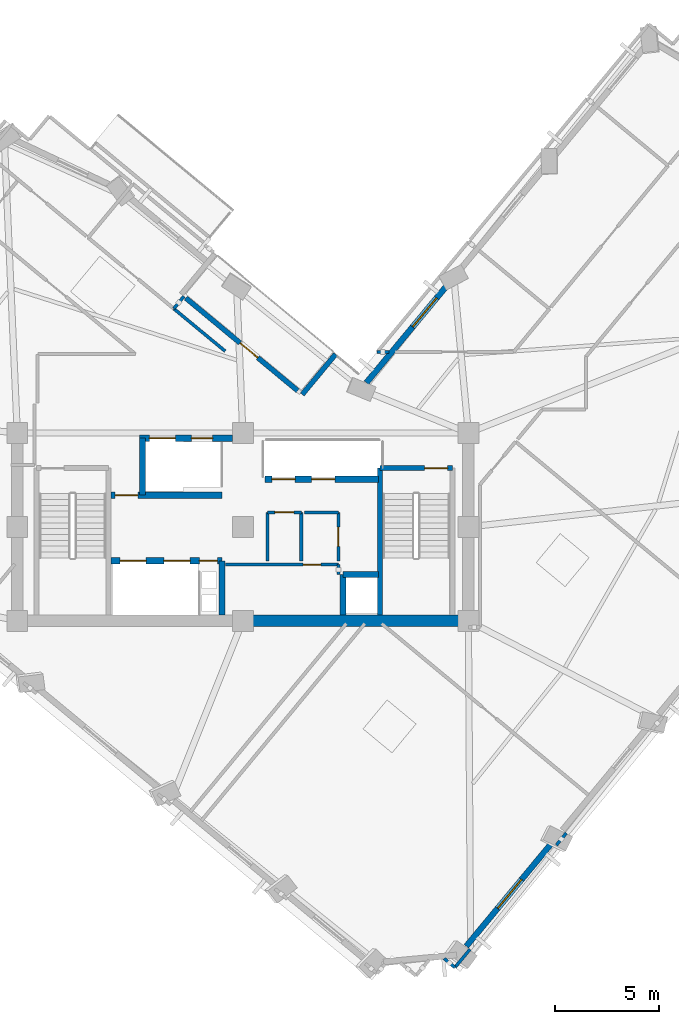
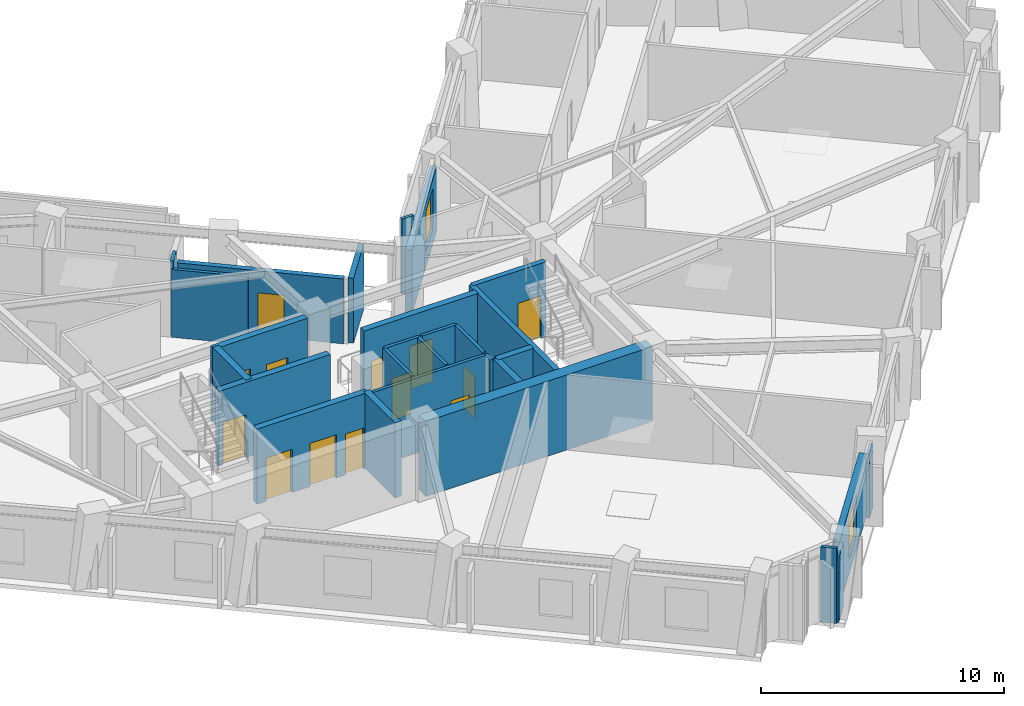
# One storey, part 5 of 10: 28 walls, 13 doors, 2 windows, 15 openings.
"""IFC4 building model written with IfcOpenShell, lengths in metres."""

from ifc_helpers import new_model, si_unit, direction, frame, frame_2d, origin, place, context, subcontext, project, spatial, rectangle, extrude, material, layer, layer_set, type_object, element, fill, save


model = new_model("IFC4")

# Units and contexts
model_context = context("Model", 3, precision=1e-05, world=origin(), true_north=direction((0.0, 1.0)))
body_context = subcontext(model_context, "Body", "Model", "MODEL_VIEW")
ifc_project = project(units=[si_unit("LENGTHUNIT", "METRE"), si_unit("AREAUNIT", "SQUARE_METRE"), si_unit("VOLUMEUNIT", "CUBIC_METRE"), si_unit("PLANEANGLEUNIT", "RADIAN"), si_unit("MASSUNIT", "GRAM", prefix="KILO")], contexts=[model_context])

# Site, building, storey
site_placement = place(None, origin())
site = spatial("IfcSite", under=ifc_project, at=site_placement, CompositionType="ELEMENT")
building_placement = place(site_placement, origin())
building = spatial("IfcBuilding", under=site, at=building_placement, Name="Gaonmaruhae Medical Tower", CompositionType="ELEMENT")
storey_placement = place(building_placement, frame((0.0, 0.0, 239.199951171875)))
storey = spatial("IfcBuildingStorey", under=building, at=storey_placement, Name="L57", CompositionType="ELEMENT", Elevation=239.199951171875)

# Wall
ifc_material_1 = material(Name="Concrete C50/60", Category="concrete")
ifc_layer_1 = layer(ifc_material_1, 0.550048828125)
ifc_layer_set_1 = layer_set([ifc_layer_1], Name="Concrete C50/60")
wall_type_1 = type_object("IfcWallType", Name="CW-550 Mid-High Core Shear Wall", PredefinedType="SHEAR", material=ifc_layer_set_1)
wall_1_placement = place(storey_placement, frame((24.800048828125, 7.800048828125, 0.0), z_axis=(0.0, 0.0, 1.0), x_axis=(1.0, 0.0, 0.0)))
element("IfcWall", 1, at=wall_1_placement, inside=storey, type_object=wall_type_1, Name="L57 Core Shear Wall CSW-S2", PredefinedType="SHEAR", context=body_context, shape_type="SweptSolid", body=[
    extrude(rectangle(XDim=10.800048828125, YDim=0.550048828125, at=frame_2d((5.39990234375, 0.0))), origin(), (0.0, 0.0, 1.0), 3.780029296875),
])

# Wall, opening, door
ifc_material_2 = material(Name="Precast concrete C45/55", Category="concrete")
ifc_layer_2 = layer(ifc_material_2, 0.239990234375)
ifc_layer_set_2 = layer_set([ifc_layer_2], Name="Precast concrete C45/55")
wall_type_2 = type_object("IfcWallType", Name="EW-240 Ribbon & Shelter Insulated Precast Wall", PredefinedType="SOLIDWALL", material=ifc_layer_set_2)
wall_2_placement = place(storey_placement, frame((22.0703125, 23.263671875, 0.0), z_axis=(0.0, 0.0, 1.0), x_axis=(0.769955085711, -0.638098084928, 0.0)))
wall_2 = element("IfcWall", 2, at=wall_2_placement, inside=storey, type_object=wall_type_2, Name="L57 Recessed Terrace Enclosure Wall TERB", PredefinedType="SOLIDWALL", context=body_context, shape_type="SweptSolid", body=[
    extrude(rectangle(XDim=6.9599609375, YDim=0.239990234375, at=frame_2d((3.47998046875, 0.0))), origin(), (0.0, 0.0, 1.0), 3.26513671875),
])
opening_1_placement = place(wall_2_placement, frame((3.374755859375, 0.0, 0.0)))
opening_1 = element("IfcOpeningElement", 3, at=opening_1_placement, cuts=wall_2, Name="Opening TD-01", PredefinedType="OPENING", context=body_context, shape_type="SweptSolid", body=[
    extrude(rectangle(XDim=1.10009765625, YDim=2.14990234375, at=frame_2d((0.550048828125, 1.074951171875))), frame((0.0, 0.1298828125, 0.0), z_axis=(0.0, -1.0, 0.0), x_axis=(1.0, 0.0, 0.0)), (0.0, 0.0, 1.0), 0.260009765625),
])
ifc_material_3 = material(Name="Anodised aluminium and toughened safety glass", Category="aluminium")
door_type_1 = type_object("IfcDoorType", Name="TD-01 Terrace & Sky Garden Glazed Door 1100x2150", OperationType="NOTDEFINED", PredefinedType="DOOR", material=ifc_material_3)
door_1_placement = place(opening_1_placement, origin())
door_1 = element("IfcDoor", 4, at=door_1_placement, inside=storey, type_object=door_type_1, Name="L57 Outdoor Terrace Access Door SLB-L57-TER", OperationType="SINGLE_SWING_LEFT", OverallHeight=2.14990234375, OverallWidth=1.10009765625, PredefinedType="DOOR", context=body_context, shape_type="SweptSolid", body=[
    extrude(rectangle(XDim=1.10009765625, YDim=2.14990234375, at=frame_2d((0.550048828125, 1.074951171875))), frame((0.0, 0.02490234375, 0.0), z_axis=(0.0, -1.0, 0.0), x_axis=(1.0, 0.0, 0.0)), (0.0, 0.0, 1.0), 0.050048828125),
])
fill(opening_1, door_1)

# Wall
wall_3_placement = place(storey_placement, frame((27.644775390625, 18.643798828125, 0.0), z_axis=(0.0, 0.0, 1.0), x_axis=(0.638107200467, 0.769947531142, 0.0)))
element("IfcWall", 5, at=wall_3_placement, inside=storey, type_object=wall_type_2, Name="L57 Recessed Terrace Enclosure Wall TERL", PredefinedType="SOLIDWALL", context=body_context, shape_type="SweptSolid", body=[
    extrude(rectangle(XDim=2.5, YDim=0.239990234375, at=frame_2d((1.25, 0.0))), origin(), (0.0, 0.0, 1.0), 3.26513671875),
])

# Wall, opening, window
ifc_layer_3 = layer(ifc_material_2, 0.280029296875)
ifc_layer_set_3 = layer_set([ifc_layer_3], Name="Precast concrete C45/55")
wall_type_3 = type_object("IfcWallType", Name="EW-280 Upper Precast Masonry-Frame Facade Wall", PredefinedType="SOLIDWALL", material=ifc_layer_set_3)
wall_4_placement = place(storey_placement, frame((39.6376953125, -2.7841796875, 0.0), z_axis=(0.0, 0.0, 1.0), x_axis=(-0.638104601704, -0.769949684904, 0.0)))
wall_4 = element("IfcWall", 6, at=wall_4_placement, inside=storey, type_object=wall_type_3, Name="L57 Precast Masonry-Frame Wall S01-S02", PredefinedType="SOLIDWALL", context=body_context, shape_type="SweptSolid", body=[
    extrude(rectangle(XDim=6.484619140625, YDim=0.280029296875, at=frame_2d((3.2421875, 0.0))), origin(), (0.0, 0.0, 1.0), 3.26513671875),
])
opening_2_placement = place(wall_4_placement, frame((2.333984375, 0.0, 0.75)))
opening_2 = element("IfcOpeningElement", 7, at=opening_2_placement, cuts=wall_4, Name="Opening WN-04", PredefinedType="OPENING", context=body_context, shape_type="SweptSolid", body=[
    extrude(rectangle(XDim=1.800048828125, YDim=2.050048828125, at=frame_2d((0.89990234375, 1.02490234375))), frame((0.0, 0.14990234375, 0.0), z_axis=(0.0, -1.0, 0.0), x_axis=(1.0, 0.0, 0.0)), (0.0, 0.0, 1.0), 0.300048828125),
])
ifc_material_4 = material(Name="Anodised aluminium and Low-E double glazing", Category="aluminium")
window_type = type_object("IfcWindowType", Name="WN-04 Clinic & Consult Punched Window 1800x2050", PartitioningType="SINGLE_PANEL", PredefinedType="WINDOW", material=ifc_material_4)
window_1_placement = place(opening_2_placement, origin())
window_1 = element("IfcWindow", 8, at=window_1_placement, inside=storey, type_object=window_type, Name="L57 Modular Facade Window S01", OverallHeight=2.050048828125, OverallWidth=1.800048828125, PartitioningType="SINGLE_PANEL", PredefinedType="WINDOW", context=body_context, shape_type="SweptSolid", body=[
    extrude(rectangle(XDim=1.800048828125, YDim=2.050048828125, at=frame_2d((0.89990234375, 1.02490234375))), frame((0.0, 0.030029296875, 0.0), z_axis=(0.0, -1.0, 0.0), x_axis=(1.0, 0.0, 0.0)), (0.0, 0.0, 1.0), 0.06005859375),
])
fill(opening_2, window_1)

wall_5_placement = place(storey_placement, frame((30.718505859375, 19.20751953125, 0.0), z_axis=(0.0, 0.0, 1.0), x_axis=(0.638099795901, 0.769953667743, 0.0)))
wall_5 = element("IfcWall", 9, at=wall_5_placement, inside=storey, type_object=wall_type_3, Name="L57 Precast Masonry-Frame Wall EN02-KN01", PredefinedType="SOLIDWALL", context=body_context, shape_type="SweptSolid", body=[
    extrude(rectangle(XDim=6.158447265625, YDim=0.280029296875, at=frame_2d((3.0791015625, 0.0))), origin(), (0.0, 0.0, 1.0), 3.26513671875),
])
opening_3_placement = place(wall_5_placement, frame((3.468017578125, 0.0, 0.75)))
opening_3 = element("IfcOpeningElement", 10, at=opening_3_placement, cuts=wall_5, Name="Opening WN-04", PredefinedType="OPENING", context=body_context, shape_type="SweptSolid", body=[
    extrude(rectangle(XDim=1.800048828125, YDim=2.050048828125, at=frame_2d((0.89990234375, 1.02490234375))), frame((0.0, 0.14990234375, 0.0), z_axis=(0.0, -1.0, 0.0), x_axis=(1.0, 0.0, 0.0)), (0.0, 0.0, 1.0), 0.300048828125),
])
window_2_placement = place(opening_3_placement, origin())
window_2 = element("IfcWindow", 11, at=window_2_placement, inside=storey, type_object=window_type, Name="L57 Modular Facade Window EN02", OverallHeight=2.050048828125, OverallWidth=1.800048828125, PartitioningType="SINGLE_PANEL", PredefinedType="WINDOW", context=body_context, shape_type="SweptSolid", body=[
    extrude(rectangle(XDim=1.800048828125, YDim=2.050048828125, at=frame_2d((0.89990234375, 1.02490234375))), frame((0.0, 0.030029296875, 0.0), z_axis=(0.0, -1.0, 0.0), x_axis=(1.0, 0.0, 0.0)), (0.0, 0.0, 1.0), 0.06005859375),
])
fill(opening_3, window_2)

# Wall, opening, door
ifc_material_5 = material(Name="Gypsum board partition", Category="gypsum")
ifc_layer_4 = layer(ifc_material_5, 0.14990234375)
ifc_layer_set_4 = layer_set([ifc_layer_4], Name="Gypsum board partition")
wall_type_4 = type_object("IfcWallType", Name="PW-150 Rated Clinical Corridor Partition", PredefinedType="PARTITIONING", material=ifc_layer_set_4)
wall_6_placement = place(storey_placement, frame((23.97998046875, 10.5, 0.0), z_axis=(0.0, 0.0, 1.0), x_axis=(1.0, 0.0, 0.0)))
wall_6 = element("IfcWall", 12, at=wall_6_placement, inside=storey, type_object=wall_type_4, Name="L57 Interior Partition L57-RCL1-1", PredefinedType="PARTITIONING", context=body_context, shape_type="SweptSolid", body=[
    extrude(rectangle(XDim=5.39990234375, YDim=0.14990234375, at=frame_2d((2.699951171875, 0.0))), origin(), (0.0, 0.0, 1.0), 3.780029296875),
])
opening_4_placement = place(wall_6_placement, frame((3.702880859375, 0.0, 0.0)))
opening_4 = element("IfcOpeningElement", 13, at=opening_4_placement, cuts=wall_6, Name="Opening AD-01", PredefinedType="OPENING", context=body_context, shape_type="SweptSolid", body=[
    extrude(rectangle(XDim=0.860107421875, YDim=2.06005859375, at=frame_2d((0.43017578125, 1.030029296875))), frame((0.0, 0.0849609375, 0.0), z_axis=(0.0, -1.0, 0.0), x_axis=(1.0, 0.0, 0.0)), (0.0, 0.0, 1.0), 0.169921875),
])
ifc_material_6 = material(Name="Powder-coated steel access door", Category="steel")
door_type_2 = type_object("IfcDoorType", Name="AD-01 Riser & Closet Access Fire Door 860x2060", OperationType="NOTDEFINED", PredefinedType="DOOR", material=ifc_material_6)
door_2_placement = place(opening_4_placement, origin())
door_2 = element("IfcDoor", 14, at=door_2_placement, inside=storey, type_object=door_type_2, Name="L57 Biomedical Infusion Preparation Room Sliding Door", OperationType="SLIDING_TO_LEFT", OverallHeight=2.06005859375, OverallWidth=0.860107421875, PredefinedType="DOOR", context=body_context, shape_type="SweptSolid", body=[
    extrude(rectangle(XDim=0.860107421875, YDim=2.06005859375, at=frame_2d((0.43017578125, 1.030029296875))), frame((0.0, 0.02490234375, 0.0), z_axis=(0.0, -1.0, 0.0), x_axis=(1.0, 0.0, 0.0)), (0.0, 0.0, 1.0), 0.050048828125),
])
fill(opening_4, door_2)

# Walls
wall_7_placement = place(storey_placement, frame((29.3798828125, 10.5, 0.0), z_axis=(0.0, 0.0, 1.0), x_axis=(0.0, -1.0, 0.0)))
element("IfcWall", 15, at=wall_7_placement, inside=storey, type_object=wall_type_4, Name="L57 Interior Partition L57-RCL1-2", PredefinedType="PARTITIONING", context=body_context, shape_type="SweptSolid", body=[
    extrude(rectangle(XDim=0.47998046875, YDim=0.14990234375, at=frame_2d((0.239990234375, 0.0))), origin(), (0.0, 0.0, 1.0), 3.780029296875),
])
wall_8_placement = place(storey_placement, frame((25.97998046875, 10.659912109375, 0.0), z_axis=(0.0, 0.0, 1.0), x_axis=(0.0, 1.0, 0.0)))
element("IfcWall", 16, at=wall_8_placement, inside=storey, type_object=wall_type_4, Name="L57 Interior Partition L57-CS1-3", PredefinedType="PARTITIONING", context=body_context, shape_type="SweptSolid", body=[
    extrude(rectangle(XDim=2.340087890625, YDim=0.14990234375, at=frame_2d((1.169921875, 0.0))), origin(), (0.0, 0.0, 1.0), 3.780029296875),
])

# Wall, opening, door
wall_9_placement = place(storey_placement, frame((25.97998046875, 13.0, 0.0), z_axis=(0.0, 0.0, 1.0), x_axis=(1.0, 0.0, 0.0)))
wall_9 = element("IfcWall", 17, at=wall_9_placement, inside=storey, type_object=wall_type_4, Name="L57 Interior Partition L57-CS1-4", PredefinedType="PARTITIONING", context=body_context, shape_type="SweptSolid", body=[
    extrude(rectangle(XDim=1.6201171875, YDim=0.14990234375, at=frame_2d((0.81005859375, 0.0))), origin(), (0.0, 0.0, 1.0), 3.780029296875),
])
opening_5_placement = place(wall_9_placement, frame((0.35009765625, 0.0, 0.0)))
opening_5 = element("IfcOpeningElement", 18, at=opening_5_placement, cuts=wall_9, Name="Opening UD-01", PredefinedType="OPENING", context=body_context, shape_type="SweptSolid", body=[
    extrude(rectangle(XDim=0.919921875, YDim=2.10009765625, at=frame_2d((0.4599609375, 1.050048828125))), frame((0.0, 0.0849609375, 0.0), z_axis=(0.0, -1.0, 0.0), x_axis=(1.0, 0.0, 0.0)), (0.0, 0.0, 1.0), 0.169921875),
])
ifc_material_7 = material(Name="Powder-coated steel utility door", Category="steel")
door_type_3 = type_object("IfcDoorType", Name="UD-01 Toilet, Utility & Housekeeping Door 920x2100", OperationType="NOTDEFINED", PredefinedType="DOOR", material=ifc_material_7)
door_3_placement = place(opening_5_placement, origin())
door_3 = element("IfcDoor", 19, at=door_3_placement, inside=storey, type_object=door_type_3, Name="L57 Accessible Staff Toilet Door", OperationType="SINGLE_SWING_RIGHT", OverallHeight=2.10009765625, OverallWidth=0.919921875, PredefinedType="DOOR", context=body_context, shape_type="SweptSolid", body=[
    extrude(rectangle(XDim=0.919921875, YDim=2.10009765625, at=frame_2d((0.4599609375, 1.050048828125))), frame((0.0, 0.02490234375, 0.0), z_axis=(0.0, -1.0, 0.0), x_axis=(1.0, 0.0, 0.0)), (0.0, 0.0, 1.0), 0.050048828125),
])
fill(opening_5, door_3)

# Walls
wall_10_placement = place(storey_placement, frame((27.60009765625, 13.0, 0.0), z_axis=(0.0, 0.0, 1.0), x_axis=(0.0, -1.0, 0.0)))
element("IfcWall", 20, at=wall_10_placement, inside=storey, type_object=wall_type_4, Name="L57 Interior Partition L57-CS1-5", PredefinedType="PARTITIONING", context=body_context, shape_type="SweptSolid", body=[
    extrude(rectangle(XDim=2.340087890625, YDim=0.14990234375, at=frame_2d((1.169921875, 0.0))), origin(), (0.0, 0.0, 1.0), 3.780029296875),
])
wall_11_placement = place(storey_placement, frame((27.760009765625, 13.0, 0.0), z_axis=(0.0, 0.0, 1.0), x_axis=(1.0, 0.0, 0.0)))
element("IfcWall", 21, at=wall_11_placement, inside=storey, type_object=wall_type_4, Name="L57 Interior Partition L57-CS2-6", PredefinedType="PARTITIONING", context=body_context, shape_type="SweptSolid", body=[
    extrude(rectangle(XDim=1.619873046875, YDim=0.14990234375, at=frame_2d((0.81005859375, 0.0))), origin(), (0.0, 0.0, 1.0), 3.780029296875),
])

# Wall, opening, door
wall_12_placement = place(storey_placement, frame((29.3798828125, 13.0, 0.0), z_axis=(0.0, 0.0, 1.0), x_axis=(0.0, -1.0, 0.0)))
wall_12 = element("IfcWall", 22, at=wall_12_placement, inside=storey, type_object=wall_type_4, Name="L57 Interior Partition L57-CS2-7", PredefinedType="PARTITIONING", context=body_context, shape_type="SweptSolid", body=[
    extrude(rectangle(XDim=2.340087890625, YDim=0.14990234375, at=frame_2d((1.169921875, 0.0))), origin(), (0.0, 0.0, 1.0), 3.780029296875),
])
opening_6_placement = place(wall_12_placement, frame((0.7099609375, 0.0, 0.0)))
opening_6 = element("IfcOpeningElement", 23, at=opening_6_placement, cuts=wall_12, Name="Opening UD-01", PredefinedType="OPENING", context=body_context, shape_type="SweptSolid", body=[
    extrude(rectangle(XDim=0.919921875, YDim=2.10009765625, at=frame_2d((0.4599609375, 1.050048828125))), frame((0.0, 0.0849609375, 0.0), z_axis=(0.0, -1.0, 0.0), x_axis=(1.0, 0.0, 0.0)), (0.0, 0.0, 1.0), 0.169921875),
])
door_4_placement = place(opening_6_placement, origin())
door_4 = element("IfcDoor", 24, at=door_4_placement, inside=storey, type_object=door_type_3, Name="L57 Biomedical Telemetry Closet Door", OperationType="SINGLE_SWING_RIGHT", OverallHeight=2.10009765625, OverallWidth=0.919921875, PredefinedType="DOOR", context=body_context, shape_type="SweptSolid", body=[
    extrude(rectangle(XDim=0.919921875, YDim=2.10009765625, at=frame_2d((0.4599609375, 1.050048828125))), frame((0.0, 0.02490234375, 0.0), z_axis=(0.0, -1.0, 0.0), x_axis=(1.0, 0.0, 0.0)), (0.0, 0.0, 1.0), 0.050048828125),
])
fill(opening_6, door_4)

# Walls
wall_13_placement = place(storey_placement, frame((40.2890625, -2.35888671875, 0.0), z_axis=(0.0, 0.0, 1.0), x_axis=(-0.638145893174, -0.769915462259, 0.0)))
element("IfcWall", 25, at=wall_13_placement, inside=storey, type_object=wall_type_4, Name="L57 Interior Partition L57-SUP01-14", PredefinedType="PARTITIONING", context=body_context, shape_type="SweptSolid", body=[
    extrude(rectangle(XDim=0.742919921875, YDim=0.14990234375, at=frame_2d((0.37158203125, 0.0))), origin(), (0.0, 0.0, 1.0), 3.26513671875),
])
wall_14_placement = place(storey_placement, frame((35.677001953125, -7.924072265625, 0.0), z_axis=(0.0, 0.0, 1.0), x_axis=(-0.638545222288, -0.769584302785, 0.0)))
element("IfcWall", 26, at=wall_14_placement, inside=storey, type_object=wall_type_4, Name="L57 Interior Partition L57-SUP01-15", PredefinedType="PARTITIONING", context=body_context, shape_type="SweptSolid", body=[
    extrude(rectangle(XDim=1.129150390625, YDim=0.14990234375, at=frame_2d((0.564453125, 0.0))), origin(), (0.0, 0.0, 1.0), 3.26513671875),
])
wall_15_placement = place(storey_placement, frame((34.9560546875, -8.79296875, 0.0), z_axis=(0.0, 0.0, 1.0), x_axis=(-0.769270661488, 0.638923038694, 0.0)))
element("IfcWall", 27, at=wall_15_placement, inside=storey, type_object=wall_type_4, Name="L57 Interior Partition L57-SUP01-16", PredefinedType="PARTITIONING", context=body_context, shape_type="SweptSolid", body=[
    extrude(rectangle(XDim=0.666748046875, YDim=0.14990234375, at=frame_2d((0.33349609375, 0.0))), origin(), (0.0, 0.0, 1.0), 3.780029296875),
])
wall_16_placement = place(storey_placement, frame((31.7890625, 20.679931640625, 0.0), z_axis=(0.0, 0.0, 1.0), x_axis=(-1.0, 0.0, 0.0)))
element("IfcWall", 28, at=wall_16_placement, inside=storey, type_object=wall_type_4, Name="L57 Interior Partition L57-IE01-59", PredefinedType="PARTITIONING", context=body_context, shape_type="SweptSolid", body=[
    extrude(rectangle(XDim=0.56396484375, YDim=0.14990234375, at=frame_2d((0.281982421875, 0.0))), origin(), (0.0, 0.0, 1.0), 3.780029296875),
])
wall_17_placement = place(storey_placement, frame((21.97802734375, 23.340087890625, 0.0), z_axis=(0.0, 0.0, 1.0), x_axis=(-0.638191965437, -0.76987727285, 0.0)))
element("IfcWall", 29, at=wall_17_placement, inside=storey, type_object=wall_type_4, Name="L57 Interior Partition L57-IN02-74", PredefinedType="PARTITIONING", context=body_context, shape_type="SweptSolid", body=[
    extrude(rectangle(XDim=0.760009765625, YDim=0.14990234375, at=frame_2d((0.3798828125, 0.0))), origin(), (0.0, 0.0, 1.0), 3.780029296875),
])
wall_18_placement = place(storey_placement, frame((21.492919921875, 22.75390625, 0.0), z_axis=(0.0, 0.0, 1.0), x_axis=(0.770814878989, -0.63705919845, 0.0)))
element("IfcWall", 30, at=wall_18_placement, inside=storey, type_object=wall_type_4, Name="L57 Interior Partition L57-RM03-88", PredefinedType="PARTITIONING", context=body_context, shape_type="SweptSolid", body=[
    extrude(rectangle(XDim=3.1943359375, YDim=0.14990234375, at=frame_2d((1.59716796875, 0.0))), origin(), (0.0, 0.0, 1.0), 3.4150390625),
])

# Wall, opening, door
ifc_layer_5 = layer(ifc_material_1, 0.239990234375)
ifc_layer_set_5 = layer_set([ifc_layer_5], Name="Concrete C50/60")
wall_type_5 = type_object("IfcWallType", Name="SW-240 Dogleg Stair Tight Shaft Wall", PredefinedType="SOLIDWALL", material=ifc_layer_set_5)
wall_19_placement = place(storey_placement, frame((31.3701171875, 15.1201171875, 0.0), z_axis=(0.0, 0.0, 1.0), x_axis=(1.0, 0.0, 0.0)))
wall_19 = element("IfcWall", 31, at=wall_19_placement, inside=storey, type_object=wall_type_5, Name="L57 ST-02 Stair Shaft Wall SHW-ST-02-N", PredefinedType="SOLIDWALL", context=body_context, shape_type="SweptSolid", body=[
    extrude(rectangle(XDim=3.4599609375, YDim=0.239990234375, at=frame_2d((1.72998046875, 0.0))), origin(), (0.0, 0.0, 1.0), 3.780029296875),
])
opening_7_placement = place(wall_19_placement, frame((2.139892578125, 0.0, 0.0)))
opening_7 = element("IfcOpeningElement", 32, at=opening_7_placement, cuts=wall_19, Name="Opening FD-01", PredefinedType="OPENING", context=body_context, shape_type="SweptSolid", body=[
    extrude(rectangle(XDim=1.10009765625, YDim=2.14990234375, at=frame_2d((0.550048828125, 1.074951171875))), frame((0.0, 0.1298828125, 0.0), z_axis=(0.0, -1.0, 0.0), x_axis=(1.0, 0.0, 0.0)), (0.0, 0.0, 1.0), 0.260009765625),
])
ifc_material_8 = material(Name="Powder-coated steel fire door", Category="steel")
door_type_4 = type_object("IfcDoorType", Name="FD-01 Escape Stair Protected Fire Door 1100x2150", OperationType="NOTDEFINED", PredefinedType="DOOR", material=ifc_material_8)
door_5_placement = place(opening_7_placement, origin())
door_5 = element("IfcDoor", 33, at=door_5_placement, inside=storey, type_object=door_type_4, Name="L57 ST-02 Protected Escape Stair Door", OperationType="SINGLE_SWING_LEFT", OverallHeight=2.14990234375, OverallWidth=1.10009765625, PredefinedType="DOOR", context=body_context, shape_type="SweptSolid", body=[
    extrude(rectangle(XDim=1.10009765625, YDim=2.14990234375, at=frame_2d((0.550048828125, 1.074951171875))), frame((0.0, 0.02490234375, 0.0), z_axis=(0.0, -1.0, 0.0), x_axis=(1.0, 0.0, 0.0)), (0.0, 0.0, 1.0), 0.050048828125),
])
fill(opening_7, door_5)

# Wall
wall_20_placement = place(storey_placement, frame((31.3701171875, 8.074951171875, 0.0), z_axis=(0.0, 0.0, 1.0), x_axis=(0.0, 1.0, 0.0)))
element("IfcWall", 34, at=wall_20_placement, inside=storey, type_object=wall_type_5, Name="L57 ST-02 Stair Shaft Wall SHW-ST-02-W", PredefinedType="SOLIDWALL", context=body_context, shape_type="SweptSolid", body=[
    extrude(rectangle(XDim=7.045166015625, YDim=0.239990234375, at=frame_2d((3.5224609375, 0.0))), origin(), (0.0, 0.0, 1.0), 3.780029296875),
])

# Wall, openings, doors
ifc_layer_6 = layer(ifc_material_1, 0.300048828125)
ifc_layer_set_6 = layer_set([ifc_layer_6], Name="Concrete C50/60")
wall_type_6 = type_object("IfcWallType", Name="SW-300 Stair & Lift Hoistway Shaft Wall", PredefinedType="SOLIDWALL", material=ifc_layer_set_6)
wall_21_placement = place(storey_placement, frame((19.85009765625, 16.550048828125, 0.0), z_axis=(0.0, 0.0, 1.0), x_axis=(1.0, 0.0, 0.0)))
wall_21 = element("IfcWall", 35, at=wall_21_placement, inside=storey, type_object=wall_type_6, Name="L57 Core Shear Wall CSW-NB", PredefinedType="SOLIDWALL", context=body_context, shape_type="SweptSolid", body=[
    extrude(rectangle(XDim=4.449951171875, YDim=0.300048828125, at=frame_2d((2.22509765625, 0.0))), origin(), (0.0, 0.0, 1.0), 3.780029296875),
])
opening_8_placement = place(wall_21_placement, frame((0.47509765625, 0.0, 0.0)))
opening_8 = element("IfcOpeningElement", 36, at=opening_8_placement, cuts=wall_21, Name="Opening LD-F1", PredefinedType="OPENING", context=body_context, shape_type="SweptSolid", body=[
    extrude(rectangle(XDim=1.25, YDim=2.179931640625, at=frame_2d((0.625, 1.08984375))), frame((0.0, 0.16015625, 0.0), z_axis=(0.0, -1.0, 0.0), x_axis=(1.0, 0.0, 0.0)), (0.0, 0.0, 1.0), 0.320068359375),
])
opening_9_placement = place(wall_21_placement, frame((2.489990234375, 0.0, 0.0)))
opening_9 = element("IfcOpeningElement", 37, at=opening_9_placement, cuts=wall_21, Name="Opening LD-S1", PredefinedType="OPENING", context=body_context, shape_type="SweptSolid", body=[
    extrude(rectangle(XDim=1.02001953125, YDim=2.1201171875, at=frame_2d((0.510009765625, 1.06005859375))), frame((0.0, 0.16015625, 0.0), z_axis=(0.0, -1.0, 0.0), x_axis=(1.0, 0.0, 0.0)), (0.0, 0.0, 1.0), 0.320068359375),
])
ifc_material_9 = material(Name="Brushed stainless steel 316L landing door", Category="steel")
door_type_5 = type_object("IfcDoorType", Name="LD-F1 Firefighting & Bed Lift Sliding Landing Door 1250x2180", OperationType="NOTDEFINED", PredefinedType="DOOR", material=ifc_material_9)
door_6_placement = place(opening_8_placement, origin())
door_6 = element("IfcDoor", 38, at=door_6_placement, inside=storey, type_object=door_type_5, Name="L57 Service/Bed Lift Landing Door BDL-01", OperationType="DOUBLE_DOOR_SLIDING", OverallHeight=2.179931640625, OverallWidth=1.25, PredefinedType="DOOR", context=body_context, shape_type="SweptSolid", body=[
    extrude(rectangle(XDim=1.25, YDim=2.179931640625, at=frame_2d((0.625, 1.08984375))), frame((0.0, 0.02490234375, 0.0), z_axis=(0.0, -1.0, 0.0), x_axis=(1.0, 0.0, 0.0)), (0.0, 0.0, 1.0), 0.050048828125),
])
fill(opening_8, door_6)
ifc_material_10 = material(Name="Brushed stainless steel 304 landing door", Category="steel")
door_type_6 = type_object("IfcDoorType", Name="LD-S1 Service Lift Sliding Landing Door 1020x2120", OperationType="NOTDEFINED", PredefinedType="DOOR", material=ifc_material_10)
door_7_placement = place(opening_9_placement, origin())
door_7 = element("IfcDoor", 39, at=door_7_placement, inside=storey, type_object=door_type_6, Name="L57 Service/Bed Lift Landing Door SVL-01", OperationType="SLIDING_TO_LEFT", OverallHeight=2.1201171875, OverallWidth=1.02001953125, PredefinedType="DOOR", context=body_context, shape_type="SweptSolid", body=[
    extrude(rectangle(XDim=1.02001953125, YDim=2.1201171875, at=frame_2d((0.510009765625, 1.06005859375))), frame((0.0, 0.02490234375, 0.0), z_axis=(0.0, -1.0, 0.0), x_axis=(1.0, 0.0, 0.0)), (0.0, 0.0, 1.0), 0.050048828125),
])
fill(opening_9, door_7)

wall_22_placement = place(storey_placement, frame((18.5, 10.679931640625, 0.0), z_axis=(0.0, 0.0, 1.0), x_axis=(1.0, 0.0, 0.0)))
wall_22 = element("IfcWall", 40, at=wall_22_placement, inside=storey, type_object=wall_type_6, Name="L57 Shaft Enclosure Wall SHW-FFN", PredefinedType="SOLIDWALL", context=body_context, shape_type="SweptSolid", body=[
    extrude(rectangle(XDim=5.300048828125, YDim=0.300048828125, at=frame_2d((2.64990234375, 0.0))), origin(), (0.0, 0.0, 1.0), 3.780029296875),
])
opening_10_placement = place(wall_22_placement, frame((4.219970703125, 0.0, 0.0)))
opening_10 = element("IfcOpeningElement", 41, at=opening_10_placement, cuts=wall_22, Name="Opening AD-01", PredefinedType="OPENING", context=body_context, shape_type="SweptSolid", body=[
    extrude(rectangle(XDim=0.860107421875, YDim=2.06005859375, at=frame_2d((0.43017578125, 1.030029296875))), frame((0.0, 0.16015625, 0.0), z_axis=(0.0, -1.0, 0.0), x_axis=(1.0, 0.0, 0.0)), (0.0, 0.0, 1.0), 0.320068359375),
])
opening_11_placement = place(wall_22_placement, frame((0.425048828125, 0.0, 0.0)))
opening_11 = element("IfcOpeningElement", 42, at=opening_11_placement, cuts=wall_22, Name="Opening LD-F1", PredefinedType="OPENING", context=body_context, shape_type="SweptSolid", body=[
    extrude(rectangle(XDim=1.25, YDim=2.179931640625, at=frame_2d((0.625, 1.08984375))), frame((0.0, 0.16015625, 0.0), z_axis=(0.0, -1.0, 0.0), x_axis=(1.0, 0.0, 0.0)), (0.0, 0.0, 1.0), 0.320068359375),
])
opening_12_placement = place(wall_22_placement, frame((2.52490234375, 0.0, 0.0)))
opening_12 = element("IfcOpeningElement", 43, at=opening_12_placement, cuts=wall_22, Name="Opening LD-F1", PredefinedType="OPENING", context=body_context, shape_type="SweptSolid", body=[
    extrude(rectangle(XDim=1.25, YDim=2.179931640625, at=frame_2d((0.625, 1.08984375))), frame((0.0, 0.16015625, 0.0), z_axis=(0.0, -1.0, 0.0), x_axis=(1.0, 0.0, 0.0)), (0.0, 0.0, 1.0), 0.320068359375),
])
door_8_placement = place(opening_10_placement, origin())
door_8 = element("IfcDoor", 44, at=door_8_placement, inside=storey, type_object=door_type_2, Name="L57 Medical Gas and MEP Riser Access Door", OperationType="SINGLE_SWING_RIGHT", OverallHeight=2.06005859375, OverallWidth=0.860107421875, PredefinedType="DOOR", context=body_context, shape_type="SweptSolid", body=[
    extrude(rectangle(XDim=0.860107421875, YDim=2.06005859375, at=frame_2d((0.43017578125, 1.030029296875))), frame((0.0, 0.02490234375, 0.0), z_axis=(0.0, -1.0, 0.0), x_axis=(1.0, 0.0, 0.0)), (0.0, 0.0, 1.0), 0.050048828125),
])
fill(opening_10, door_8)
door_9_placement = place(opening_11_placement, origin())
door_9 = element("IfcDoor", 45, at=door_9_placement, inside=storey, type_object=door_type_5, Name="L57 Firefighting Lift Landing Door FFL-01", OperationType="DOUBLE_DOOR_SLIDING", OverallHeight=2.179931640625, OverallWidth=1.25, PredefinedType="DOOR", context=body_context, shape_type="SweptSolid", body=[
    extrude(rectangle(XDim=1.25, YDim=2.179931640625, at=frame_2d((0.625, 1.08984375))), frame((0.0, 0.02490234375, 0.0), z_axis=(0.0, -1.0, 0.0), x_axis=(1.0, 0.0, 0.0)), (0.0, 0.0, 1.0), 0.050048828125),
])
fill(opening_11, door_9)
door_10_placement = place(opening_12_placement, origin())
door_10 = element("IfcDoor", 46, at=door_10_placement, inside=storey, type_object=door_type_5, Name="L57 Firefighting Lift Landing Door FFL-02", OperationType="DOUBLE_DOOR_SLIDING", OverallHeight=2.179931640625, OverallWidth=1.25, PredefinedType="DOOR", context=body_context, shape_type="SweptSolid", body=[
    extrude(rectangle(XDim=1.25, YDim=2.179931640625, at=frame_2d((0.625, 1.08984375))), frame((0.0, 0.02490234375, 0.0), z_axis=(0.0, -1.0, 0.0), x_axis=(1.0, 0.0, 0.0)), (0.0, 0.0, 1.0), 0.050048828125),
])
fill(opening_12, door_10)

# Wall, opening, door
wall_23_placement = place(storey_placement, frame((18.5, 13.820068359375, 0.0), z_axis=(0.0, 0.0, 1.0), x_axis=(1.0, 0.0, 0.0)))
wall_23 = element("IfcWall", 47, at=wall_23_placement, inside=storey, type_object=wall_type_6, Name="L57 Shaft Enclosure Wall SHW-FFL", PredefinedType="SOLIDWALL", context=body_context, shape_type="SweptSolid", body=[
    extrude(rectangle(XDim=5.300048828125, YDim=0.300048828125, at=frame_2d((2.64990234375, 0.0))), origin(), (0.0, 0.0, 1.0), 3.780029296875),
])
opening_13_placement = place(wall_23_placement, frame((0.179931640625, 0.0, 0.0)))
opening_13 = element("IfcOpeningElement", 48, at=opening_13_placement, cuts=wall_23, Name="Opening FD-01", PredefinedType="OPENING", context=body_context, shape_type="SweptSolid", body=[
    extrude(rectangle(XDim=1.10009765625, YDim=2.14990234375, at=frame_2d((0.550048828125, 1.074951171875))), frame((0.0, 0.16015625, 0.0), z_axis=(0.0, -1.0, 0.0), x_axis=(1.0, 0.0, 0.0)), (0.0, 0.0, 1.0), 0.320068359375),
])
door_11_placement = place(opening_13_placement, origin())
door_11 = element("IfcDoor", 49, at=door_11_placement, inside=storey, type_object=door_type_4, Name="L57 Firefighting Lobby Smoke Door", OperationType="SINGLE_SWING_LEFT", OverallHeight=2.14990234375, OverallWidth=1.10009765625, PredefinedType="DOOR", context=body_context, shape_type="SweptSolid", body=[
    extrude(rectangle(XDim=1.10009765625, YDim=2.14990234375, at=frame_2d((0.550048828125, 1.074951171875))), frame((0.0, 0.02490234375, 0.0), z_axis=(0.0, -1.0, 0.0), x_axis=(1.0, 0.0, 0.0)), (0.0, 0.0, 1.0), 0.050048828125),
])
fill(opening_13, door_11)

# Walls
wall_24_placement = place(storey_placement, frame((23.800048828125, 8.074951171875, 0.0), z_axis=(0.0, 0.0, 1.0), x_axis=(0.0, 1.0, 0.0)))
element("IfcWall", 50, at=wall_24_placement, inside=storey, type_object=wall_type_6, Name="L57 Shaft Enclosure Wall SHW-FFE", PredefinedType="SOLIDWALL", context=body_context, shape_type="SweptSolid", body=[
    extrude(rectangle(XDim=2.60498046875, YDim=0.300048828125, at=frame_2d((1.302490234375, 0.0))), origin(), (0.0, 0.0, 1.0), 3.780029296875),
])
wall_25_placement = place(storey_placement, frame((20.0, 13.820068359375, 0.0), z_axis=(0.0, 0.0, 1.0), x_axis=(0.0, 1.0, 0.0)))
element("IfcWall", 51, at=wall_25_placement, inside=storey, type_object=wall_type_6, Name="L57 Shaft Enclosure Wall SHW-BDW", PredefinedType="SOLIDWALL", context=body_context, shape_type="SweptSolid", body=[
    extrude(rectangle(XDim=2.72998046875, YDim=0.300048828125, at=frame_2d((1.364990234375, 0.0))), origin(), (0.0, 0.0, 1.0), 3.780029296875),
])
wall_26_placement = place(storey_placement, frame((29.60009765625, 10.02001953125, 0.0), z_axis=(0.0, 0.0, 1.0), x_axis=(1.0, 0.0, 0.0)))
element("IfcWall", 52, at=wall_26_placement, inside=storey, type_object=wall_type_6, Name="L57 Shaft Enclosure Wall SHW-PLS", PredefinedType="SOLIDWALL", context=body_context, shape_type="SweptSolid", body=[
    extrude(rectangle(XDim=1.699951171875, YDim=0.300048828125, at=frame_2d((0.85009765625, 0.0))), origin(), (0.0, 0.0, 1.0), 3.780029296875),
])
wall_27_placement = place(storey_placement, frame((29.60009765625, 8.074951171875, 0.0), z_axis=(0.0, 0.0, 1.0), x_axis=(0.0, 1.0, 0.0)))
element("IfcWall", 53, at=wall_27_placement, inside=storey, type_object=wall_type_6, Name="L57 Shaft Enclosure Wall SHW-PLD1", PredefinedType="SOLIDWALL", context=body_context, shape_type="SweptSolid", body=[
    extrude(rectangle(XDim=1.945068359375, YDim=0.300048828125, at=frame_2d((0.97265625, 0.0))), origin(), (0.0, 0.0, 1.0), 3.780029296875),
])

# Wall, openings, doors
wall_28_placement = place(storey_placement, frame((25.85009765625, 14.580078125, 0.0), z_axis=(0.0, 0.0, 1.0), x_axis=(1.0, 0.0, 0.0)))
wall_28 = element("IfcWall", 54, at=wall_28_placement, inside=storey, type_object=wall_type_6, Name="L57 Shaft Enclosure Wall SHW-PLN", PredefinedType="SOLIDWALL", context=body_context, shape_type="SweptSolid", body=[
    extrude(rectangle(XDim=5.449951171875, YDim=0.300048828125, at=frame_2d((2.72509765625, 0.0))), origin(), (0.0, 0.0, 1.0), 3.780029296875),
])
opening_14_placement = place(wall_28_placement, frame((0.340087890625, 0.0, 0.0)))
opening_14 = element("IfcOpeningElement", 55, at=opening_14_placement, cuts=wall_28, Name="Opening LD-P1", PredefinedType="OPENING", context=body_context, shape_type="SweptSolid", body=[
    extrude(rectangle(XDim=1.1201171875, YDim=2.14990234375, at=frame_2d((0.56005859375, 1.074951171875))), frame((0.0, 0.16015625, 0.0), z_axis=(0.0, -1.0, 0.0), x_axis=(1.0, 0.0, 0.0)), (0.0, 0.0, 1.0), 0.320068359375),
])
opening_15_placement = place(wall_28_placement, frame((2.239990234375, 0.0, 0.0)))
opening_15 = element("IfcOpeningElement", 56, at=opening_15_placement, cuts=wall_28, Name="Opening LD-P1", PredefinedType="OPENING", context=body_context, shape_type="SweptSolid", body=[
    extrude(rectangle(XDim=1.1201171875, YDim=2.14990234375, at=frame_2d((0.56005859375, 1.074951171875))), frame((0.0, 0.16015625, 0.0), z_axis=(0.0, -1.0, 0.0), x_axis=(1.0, 0.0, 0.0)), (0.0, 0.0, 1.0), 0.320068359375),
])
door_type_7 = type_object("IfcDoorType", Name="LD-P1 Passenger Lift Sliding Landing Door 1120x2150", OperationType="NOTDEFINED", PredefinedType="DOOR", material=ifc_material_10)
door_12_placement = place(opening_14_placement, origin())
door_12 = element("IfcDoor", 57, at=door_12_placement, inside=storey, type_object=door_type_7, Name="L57 Passenger Lift Landing Door PL-M1", OperationType="DOUBLE_DOOR_SLIDING", OverallHeight=2.14990234375, OverallWidth=1.1201171875, PredefinedType="DOOR", context=body_context, shape_type="SweptSolid", body=[
    extrude(rectangle(XDim=1.1201171875, YDim=2.14990234375, at=frame_2d((0.56005859375, 1.074951171875))), frame((0.0, 0.02490234375, 0.0), z_axis=(0.0, -1.0, 0.0), x_axis=(1.0, 0.0, 0.0)), (0.0, 0.0, 1.0), 0.050048828125),
])
fill(opening_14, door_12)
door_13_placement = place(opening_15_placement, origin())
door_13 = element("IfcDoor", 58, at=door_13_placement, inside=storey, type_object=door_type_7, Name="L57 Passenger Lift Landing Door PL-M2", OperationType="DOUBLE_DOOR_SLIDING", OverallHeight=2.14990234375, OverallWidth=1.1201171875, PredefinedType="DOOR", context=body_context, shape_type="SweptSolid", body=[
    extrude(rectangle(XDim=1.1201171875, YDim=2.14990234375, at=frame_2d((0.56005859375, 1.074951171875))), frame((0.0, 0.02490234375, 0.0), z_axis=(0.0, -1.0, 0.0), x_axis=(1.0, 0.0, 0.0)), (0.0, 0.0, 1.0), 0.050048828125),
])
fill(opening_15, door_13)

save(model, "model.ifc")
